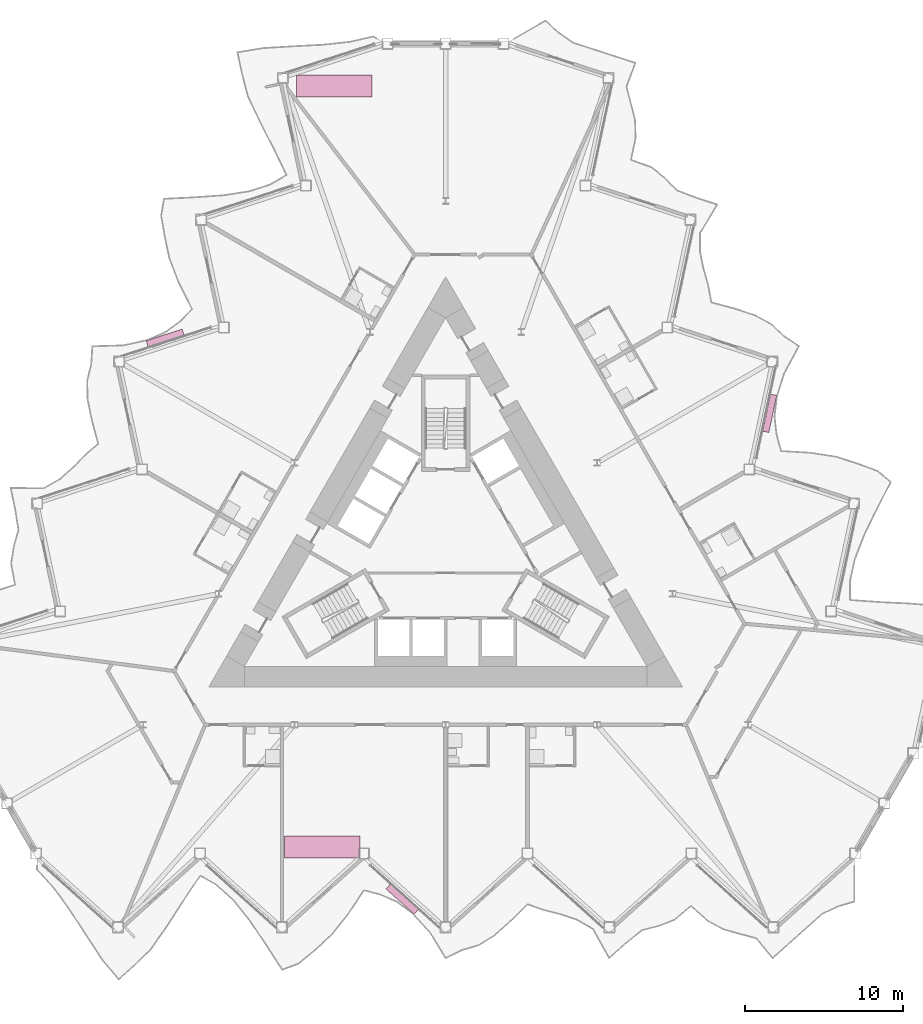
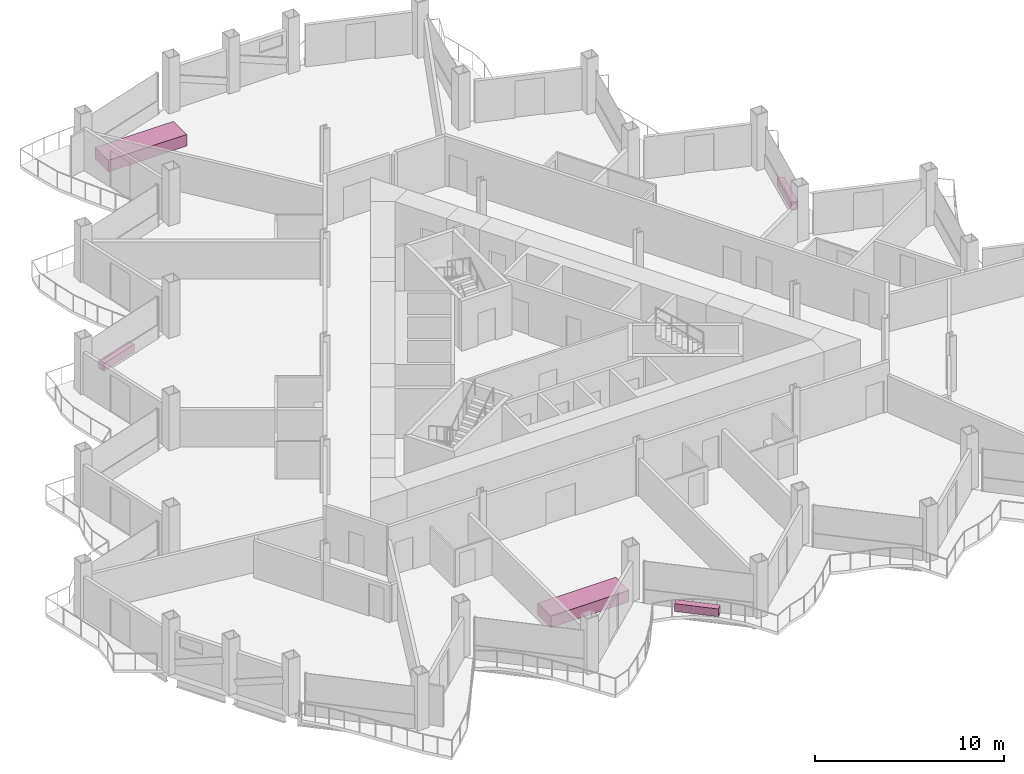
# One storey, part 23 of 23: 5 furniture elements.
"""IFC4 building model written with IfcOpenShell, lengths in metres."""

from ifc_helpers import new_model, si_unit, direction, frame, origin, origin_2d, place, context, subcontext, project, spatial, rectangle, extrude, material, type_object, element, save


model = new_model("IFC4")

# Units and contexts
model_context = context("Model", 3, precision=1e-05, world=origin(), true_north=direction((0.0, 1.0)))
body_context = subcontext(model_context, "Body", "Model", "MODEL_VIEW")
ifc_project = project(units=[si_unit("LENGTHUNIT", "METRE"), si_unit("AREAUNIT", "SQUARE_METRE"), si_unit("VOLUMEUNIT", "CUBIC_METRE"), si_unit("PLANEANGLEUNIT", "RADIAN"), si_unit("MASSUNIT", "GRAM", prefix="KILO")], contexts=[model_context])

# Site, building, storey
site_placement = place(None, origin())
site = spatial("IfcSite", under=ifc_project, at=site_placement, CompositionType="ELEMENT")
building_placement = place(site_placement, origin())
building = spatial("IfcBuilding", under=site, at=building_placement, Name="Cormorant Prow Tower", CompositionType="ELEMENT")
storey_placement = place(building_placement, frame((0.0, 0.0, 259.800048828125)))
storey = spatial("IfcBuildingStorey", under=building, at=storey_placement, Name="L58", CompositionType="ELEMENT", Elevation=259.800048828125)

# Furniture
ifc_material_1 = material(Name="Terracotta", Category="masonry")
furniture_type_1 = type_object("IfcFurnitureType", Name="Balcony planter 2400x400x500", AssemblyPlace="NOTDEFINED", PredefinedType="USERDEFINED", material=ifc_material_1)
for number, where, z_axis, x_axis, name in (
    (1, (-2.757080078125, -22.111083984375, 0.0), (0.0, 0.0, 1.0), (0.743144829063, -0.669130602377, 0.0), "Balcony planter S04"),
    (2, (20.52734375, 8.66796875, 0.0), (0.0, 0.0, 1.0), (0.207911825822, 0.978147572038, 0.0), "Balcony planter ENE04"),
    (3, (-17.770263671875, 13.443115234375, 0.0), (0.0, 0.0, 1.0), (-0.951056492009, -0.309017069121, 0.0), "Balcony planter WNW04"),
):
    element("IfcFurniture", number, at=place(storey_placement, frame(where, z_axis=z_axis, x_axis=x_axis)), inside=storey, type_object=furniture_type_1, Name=name, ObjectType="PLANTER", PredefinedType="USERDEFINED", context=body_context, shape_type="SweptSolid", body=[
        extrude(rectangle(XDim=2.39990234375, YDim=0.39990234375, at=origin_2d()), origin(), (0.0, 0.0, 1.0), 0.5),
    ])
ifc_material_2 = material(Name="Timber joinery", Category="wood")
furniture_type_2 = type_object("IfcFurnitureType", Name="Conference table 4800x1400", AssemblyPlace="NOTDEFINED", PredefinedType="TABLE", material=ifc_material_2)
for number, where, z_axis, x_axis, name in (
    (4, (-7.81396484375, -18.793701171875, 0.0), (0.0, 0.0, 1.0), (1.0, 0.0, 0.0), "Conference table"),
    (5, (-7.060302734375, 29.400390625, 0.0), (0.0, 0.0, 1.0), (1.0, 0.0, 0.0), "Conference table"),
):
    element("IfcFurniture", number, at=place(storey_placement, frame(where, z_axis=z_axis, x_axis=x_axis)), inside=storey, type_object=furniture_type_2, Name=name, PredefinedType="TABLE", context=body_context, shape_type="SweptSolid", body=[
        extrude(rectangle(XDim=4.800048828125, YDim=1.39990234375, at=origin_2d()), origin(), (0.0, 0.0, 1.0), 0.75),
    ])

save(model, "model.ifc")
